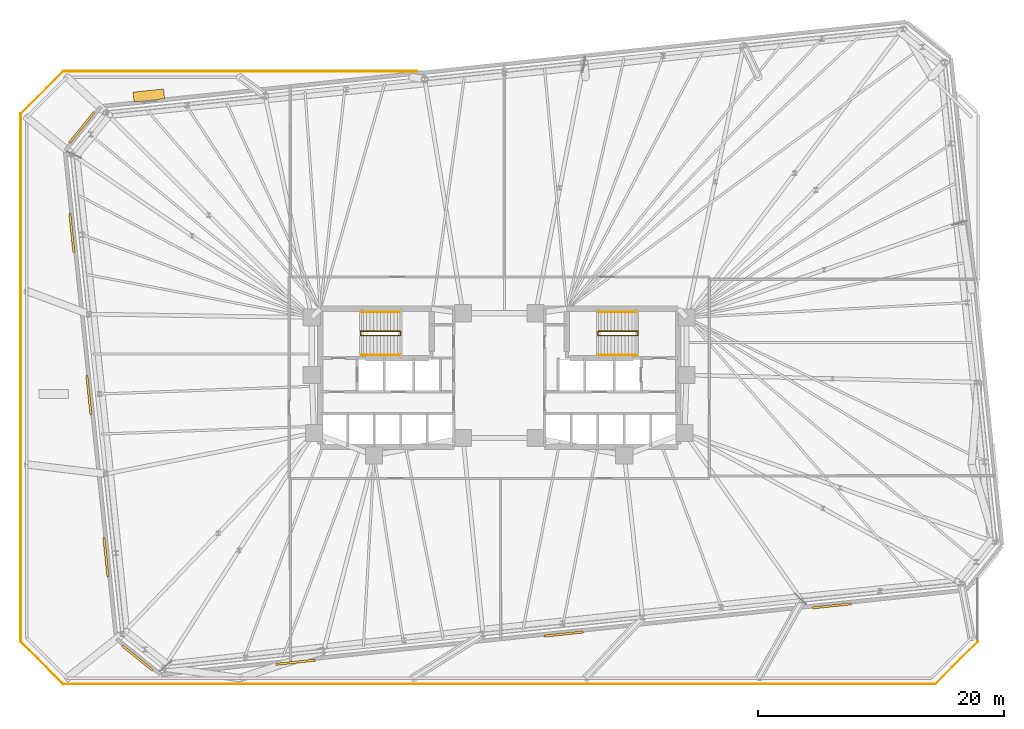
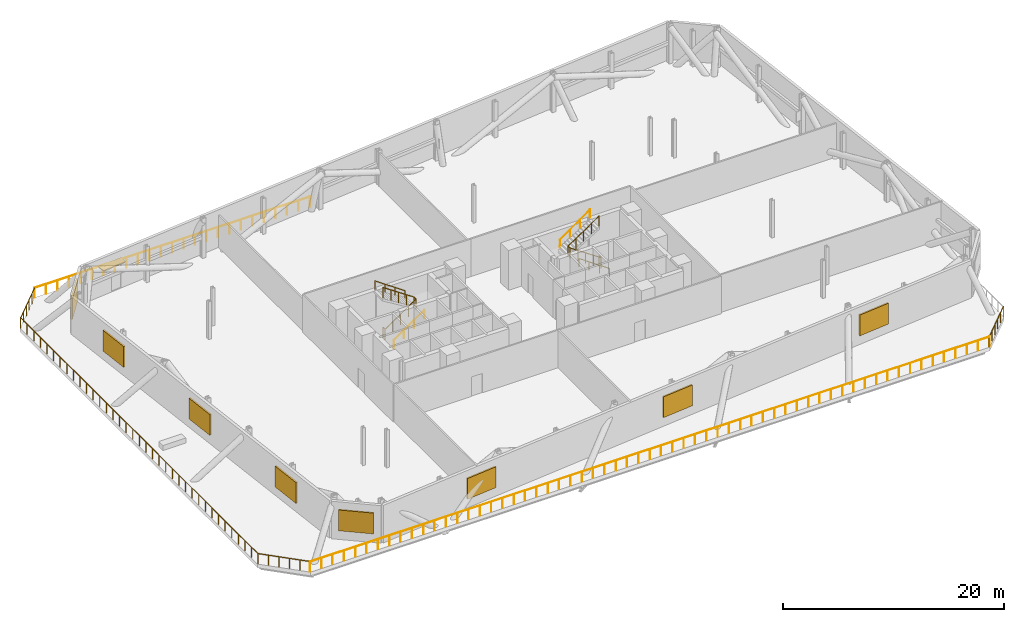
# One storey, part 16 of 17: 12 railings, 9 shading devices.
"""IFC4 building model written with IfcOpenShell, lengths in metres."""

from ifc_helpers import new_model, si_unit, direction, frame, origin, origin_2d, place, context, subcontext, project, spatial, rectangle, circle, extrude, material, layer, layer_set, type_object, element, save


model = new_model("IFC4")

# Units and contexts
model_context = context("Model", 3, precision=1e-05, world=origin(), true_north=direction((0.0, 1.0)))
body_context = subcontext(model_context, "Body", "Model", "MODEL_VIEW")
ifc_project = project(units=[si_unit("LENGTHUNIT", "METRE"), si_unit("AREAUNIT", "SQUARE_METRE"), si_unit("VOLUMEUNIT", "CUBIC_METRE"), si_unit("PLANEANGLEUNIT", "RADIAN"), si_unit("MASSUNIT", "GRAM", prefix="KILO")], contexts=[model_context])

# Site, building, storey
site_placement = place(None, origin())
site = spatial("IfcSite", under=ifc_project, at=site_placement, CompositionType="ELEMENT")
building_placement = place(site_placement, origin())
building = spatial("IfcBuilding", under=site, at=building_placement, Name="Menara Jurai Vektor", CompositionType="ELEMENT")
storey_placement = place(building_placement, frame((0.0, 0.0, 78.800048828125)))
storey = spatial("IfcBuildingStorey", under=building, at=storey_placement, Name="L19", CompositionType="ELEMENT", Elevation=78.800048828125)

# Railings
ifc_material_1 = material(Name="Anodised Pale Aluminium & Laminated Glass Guardrail", Category="aluminium")
ifc_layer = layer(ifc_material_1, 0.070068359375)
ifc_layer_set = layer_set([ifc_layer], Name="Anodised Pale Aluminium & Laminated Glass Guardrail")
railing_type_1 = type_object("IfcRailingType", Name="ENV-RAIL-TER115", PredefinedType="GUARDRAIL", material=ifc_layer_set)
railing_1_placement = place(storey_placement, frame((-6.70751953125, 24.93994140625, 0.0)))
element("IfcRailing", 1, at=railing_1_placement, inside=storey, type_object=railing_type_1, Name="Spiral Terrace Guardrail L19-STEP-01", PredefinedType="GUARDRAIL", context=body_context, shape_type="SweptSolid", body=[
    extrude(circle(Radius=0.02392578125, at=origin_2d()), frame((0.0, 0.0, 1.1259765625), z_axis=(-1.0, 0.0, 0.0), x_axis=(0.0, -1.0, 0.0)), (0.0, 0.0, 1.0), 28.79248046875),
    extrude(circle(Radius=0.02099609375, at=origin_2d()), origin(), (0.0, 0.0, 1.0), 1.101806640625),
    extrude(circle(Radius=0.02099609375, at=origin_2d()), frame((-1.19970703125, 0.0, 0.0)), (0.0, 0.0, 1.0), 1.101806640625),
    extrude(circle(Radius=0.02099609375, at=origin_2d()), frame((-2.3994140625, 0.0, 0.0)), (0.0, 0.0, 1.0), 1.101806640625),
    extrude(circle(Radius=0.02099609375, at=origin_2d()), frame((-3.59912109375, 0.0, 0.0)), (0.0, 0.0, 1.0), 1.101806640625),
    extrude(circle(Radius=0.02099609375, at=origin_2d()), frame((-4.798828125, 0.0, 0.0)), (0.0, 0.0, 1.0), 1.101806640625),
    extrude(circle(Radius=0.02099609375, at=origin_2d()), frame((-5.99853515625, 0.0, 0.0)), (0.0, 0.0, 1.0), 1.101806640625),
    extrude(circle(Radius=0.02099609375, at=origin_2d()), frame((-7.1982421875, 0.0, 0.0)), (0.0, 0.0, 1.0), 1.101806640625),
    extrude(circle(Radius=0.02099609375, at=origin_2d()), frame((-8.397705078125, 0.0, 0.0)), (0.0, 0.0, 1.0), 1.101806640625),
    extrude(circle(Radius=0.02099609375, at=origin_2d()), frame((-9.597412109375, 0.0, 0.0)), (0.0, 0.0, 1.0), 1.101806640625),
    extrude(circle(Radius=0.02099609375, at=origin_2d()), frame((-10.797119140625, 0.0, 0.0)), (0.0, 0.0, 1.0), 1.101806640625),
    extrude(circle(Radius=0.02099609375, at=origin_2d()), frame((-11.996826171875, 0.0, 0.0)), (0.0, 0.0, 1.0), 1.101806640625),
    extrude(circle(Radius=0.02099609375, at=origin_2d()), frame((-13.196533203125, 0.0, 0.0)), (0.0, 0.0, 1.0), 1.101806640625),
    extrude(circle(Radius=0.02099609375, at=origin_2d()), frame((-14.396240234375, 0.0, 0.0)), (0.0, 0.0, 1.0), 1.101806640625),
    extrude(circle(Radius=0.02099609375, at=origin_2d()), frame((-15.595947265625, 0.0, 0.0)), (0.0, 0.0, 1.0), 1.101806640625),
    extrude(circle(Radius=0.02099609375, at=origin_2d()), frame((-16.795654296875, 0.0, 0.0)), (0.0, 0.0, 1.0), 1.101806640625),
    extrude(circle(Radius=0.02099609375, at=origin_2d()), frame((-17.995361328125, 0.0, 0.0)), (0.0, 0.0, 1.0), 1.101806640625),
    extrude(circle(Radius=0.02099609375, at=origin_2d()), frame((-19.195068359375, 0.0, 0.0)), (0.0, 0.0, 1.0), 1.101806640625),
    extrude(circle(Radius=0.02099609375, at=origin_2d()), frame((-20.394775390625, 0.0, 0.0)), (0.0, 0.0, 1.0), 1.101806640625),
    extrude(circle(Radius=0.02099609375, at=origin_2d()), frame((-21.59423828125, 0.0, 0.0)), (0.0, 0.0, 1.0), 1.101806640625),
    extrude(circle(Radius=0.02099609375, at=origin_2d()), frame((-22.7939453125, 0.0, 0.0)), (0.0, 0.0, 1.0), 1.101806640625),
    extrude(circle(Radius=0.02099609375, at=origin_2d()), frame((-23.99365234375, 0.0, 0.0)), (0.0, 0.0, 1.0), 1.101806640625),
    extrude(circle(Radius=0.02099609375, at=origin_2d()), frame((-25.193359375, 0.0, 0.0)), (0.0, 0.0, 1.0), 1.101806640625),
    extrude(circle(Radius=0.02099609375, at=origin_2d()), frame((-26.39306640625, 0.0, 0.0)), (0.0, 0.0, 1.0), 1.101806640625),
    extrude(circle(Radius=0.02099609375, at=origin_2d()), frame((-27.5927734375, 0.0, 0.0)), (0.0, 0.0, 1.0), 1.101806640625),
    extrude(circle(Radius=0.02099609375, at=origin_2d()), frame((-28.79248046875, 0.0, 0.0)), (0.0, 0.0, 1.0), 1.101806640625),
])
railing_2_placement = place(storey_placement, frame((-35.45751953125, 24.95751953125, 0.0)))
element("IfcRailing", 2, at=railing_2_placement, inside=storey, type_object=railing_type_1, Name="Spiral Terrace Guardrail L19-STEP-02", PredefinedType="GUARDRAIL", context=body_context, shape_type="SweptSolid", body=[
    extrude(circle(Radius=0.02392578125, at=origin_2d()), frame((0.0, 0.0, 1.1259765625), z_axis=(-0.707106781187, -0.707106781187, 0.0), x_axis=(0.707106781187, -0.707106781187, 0.0)), (0.0, 0.0, 1.0), 4.94970703125),
    extrude(circle(Radius=0.02099609375, at=origin_2d()), origin(), (0.0, 0.0, 1.0), 1.101806640625),
    extrude(circle(Radius=0.02099609375, at=origin_2d()), frame((-0.699951171875, -0.699951171875, 0.0)), (0.0, 0.0, 1.0), 1.101806640625),
    extrude(circle(Radius=0.02099609375, at=origin_2d()), frame((-1.39990234375, -1.39990234375, 0.0)), (0.0, 0.0, 1.0), 1.101806640625),
    extrude(circle(Radius=0.02099609375, at=origin_2d()), frame((-2.10009765625, -2.10009765625, 0.0)), (0.0, 0.0, 1.0), 1.101806640625),
    extrude(circle(Radius=0.02099609375, at=origin_2d()), frame((-2.800048828125, -2.800048828125, 0.0)), (0.0, 0.0, 1.0), 1.101806640625),
    extrude(circle(Radius=0.02099609375, at=origin_2d()), frame((-3.5, -3.5, 0.0)), (0.0, 0.0, 1.0), 1.101806640625),
])
railing_3_placement = place(storey_placement, frame((-38.93994140625, 21.5, 0.0)))
element("IfcRailing", 3, at=railing_3_placement, inside=storey, type_object=railing_type_1, Name="Spiral Terrace Guardrail L19-STEP-03", PredefinedType="GUARDRAIL", context=body_context, shape_type="SweptSolid", body=[
    extrude(circle(Radius=0.02392578125, at=origin_2d()), frame((0.0, 0.0, 1.1259765625), z_axis=(0.0, -1.0, 0.0), x_axis=(1.0, 0.0, 0.0)), (0.0, 0.0, 1.0), 43.0),
    extrude(circle(Radius=0.02099609375, at=origin_2d()), origin(), (0.0, 0.0, 1.0), 1.101806640625),
    extrude(circle(Radius=0.02099609375, at=origin_2d()), frame((0.0, -1.1943359375, 0.0)), (0.0, 0.0, 1.0), 1.101806640625),
    extrude(circle(Radius=0.02099609375, at=origin_2d()), frame((0.0, -2.388916015625, 0.0)), (0.0, 0.0, 1.0), 1.101806640625),
    extrude(circle(Radius=0.02099609375, at=origin_2d()), frame((0.0, -3.583251953125, 0.0)), (0.0, 0.0, 1.0), 1.101806640625),
    extrude(circle(Radius=0.02099609375, at=origin_2d()), frame((0.0, -4.77783203125, 0.0)), (0.0, 0.0, 1.0), 1.101806640625),
    extrude(circle(Radius=0.02099609375, at=origin_2d()), frame((0.0, -5.97216796875, 0.0)), (0.0, 0.0, 1.0), 1.101806640625),
    extrude(circle(Radius=0.02099609375, at=origin_2d()), frame((0.0, -7.166748046875, 0.0)), (0.0, 0.0, 1.0), 1.101806640625),
    extrude(circle(Radius=0.02099609375, at=origin_2d()), frame((0.0, -8.361083984375, 0.0)), (0.0, 0.0, 1.0), 1.101806640625),
    extrude(circle(Radius=0.02099609375, at=origin_2d()), frame((0.0, -9.5556640625, 0.0)), (0.0, 0.0, 1.0), 1.101806640625),
    extrude(circle(Radius=0.02099609375, at=origin_2d()), frame((0.0, -10.75, 0.0)), (0.0, 0.0, 1.0), 1.101806640625),
    extrude(circle(Radius=0.02099609375, at=origin_2d()), frame((0.0, -11.9443359375, 0.0)), (0.0, 0.0, 1.0), 1.101806640625),
    extrude(circle(Radius=0.02099609375, at=origin_2d()), frame((0.0, -13.138916015625, 0.0)), (0.0, 0.0, 1.0), 1.101806640625),
    extrude(circle(Radius=0.02099609375, at=origin_2d()), frame((0.0, -14.333251953125, 0.0)), (0.0, 0.0, 1.0), 1.101806640625),
    extrude(circle(Radius=0.02099609375, at=origin_2d()), frame((0.0, -15.52783203125, 0.0)), (0.0, 0.0, 1.0), 1.101806640625),
    extrude(circle(Radius=0.02099609375, at=origin_2d()), frame((0.0, -16.72216796875, 0.0)), (0.0, 0.0, 1.0), 1.101806640625),
    extrude(circle(Radius=0.02099609375, at=origin_2d()), frame((0.0, -17.916748046875, 0.0)), (0.0, 0.0, 1.0), 1.101806640625),
    extrude(circle(Radius=0.02099609375, at=origin_2d()), frame((0.0, -19.111083984375, 0.0)), (0.0, 0.0, 1.0), 1.101806640625),
    extrude(circle(Radius=0.02099609375, at=origin_2d()), frame((0.0, -20.3056640625, 0.0)), (0.0, 0.0, 1.0), 1.101806640625),
    extrude(circle(Radius=0.02099609375, at=origin_2d()), frame((0.0, -21.5, 0.0)), (0.0, 0.0, 1.0), 1.101806640625),
    extrude(circle(Radius=0.02099609375, at=origin_2d()), frame((0.0, -22.6943359375, 0.0)), (0.0, 0.0, 1.0), 1.101806640625),
    extrude(circle(Radius=0.02099609375, at=origin_2d()), frame((0.0, -23.888916015625, 0.0)), (0.0, 0.0, 1.0), 1.101806640625),
    extrude(circle(Radius=0.02099609375, at=origin_2d()), frame((0.0, -25.083251953125, 0.0)), (0.0, 0.0, 1.0), 1.101806640625),
    extrude(circle(Radius=0.02099609375, at=origin_2d()), frame((0.0, -26.27783203125, 0.0)), (0.0, 0.0, 1.0), 1.101806640625),
    extrude(circle(Radius=0.02099609375, at=origin_2d()), frame((0.0, -27.47216796875, 0.0)), (0.0, 0.0, 1.0), 1.101806640625),
    extrude(circle(Radius=0.02099609375, at=origin_2d()), frame((0.0, -28.666748046875, 0.0)), (0.0, 0.0, 1.0), 1.101806640625),
    extrude(circle(Radius=0.02099609375, at=origin_2d()), frame((0.0, -29.861083984375, 0.0)), (0.0, 0.0, 1.0), 1.101806640625),
    extrude(circle(Radius=0.02099609375, at=origin_2d()), frame((0.0, -31.0556640625, 0.0)), (0.0, 0.0, 1.0), 1.101806640625),
    extrude(circle(Radius=0.02099609375, at=origin_2d()), frame((0.0, -32.25, 0.0)), (0.0, 0.0, 1.0), 1.101806640625),
    extrude(circle(Radius=0.02099609375, at=origin_2d()), frame((0.0, -33.4443359375, 0.0)), (0.0, 0.0, 1.0), 1.101806640625),
    extrude(circle(Radius=0.02099609375, at=origin_2d()), frame((0.0, -34.638916015625, 0.0)), (0.0, 0.0, 1.0), 1.101806640625),
    extrude(circle(Radius=0.02099609375, at=origin_2d()), frame((0.0, -35.833251953125, 0.0)), (0.0, 0.0, 1.0), 1.101806640625),
    extrude(circle(Radius=0.02099609375, at=origin_2d()), frame((0.0, -37.02783203125, 0.0)), (0.0, 0.0, 1.0), 1.101806640625),
    extrude(circle(Radius=0.02099609375, at=origin_2d()), frame((0.0, -38.22216796875, 0.0)), (0.0, 0.0, 1.0), 1.101806640625),
    extrude(circle(Radius=0.02099609375, at=origin_2d()), frame((0.0, -39.416748046875, 0.0)), (0.0, 0.0, 1.0), 1.101806640625),
    extrude(circle(Radius=0.02099609375, at=origin_2d()), frame((0.0, -40.611083984375, 0.0)), (0.0, 0.0, 1.0), 1.101806640625),
    extrude(circle(Radius=0.02099609375, at=origin_2d()), frame((0.0, -41.8056640625, 0.0)), (0.0, 0.0, 1.0), 1.101806640625),
    extrude(circle(Radius=0.02099609375, at=origin_2d()), frame((0.0, -43.0, 0.0)), (0.0, 0.0, 1.0), 1.101806640625),
])
railing_4_placement = place(storey_placement, frame((-38.95751953125, -21.45751953125, 0.0)))
element("IfcRailing", 4, at=railing_4_placement, inside=storey, type_object=railing_type_1, Name="Spiral Terrace Guardrail L19-STEP-04", PredefinedType="GUARDRAIL", context=body_context, shape_type="SweptSolid", body=[
    extrude(circle(Radius=0.02392578125, at=origin_2d()), frame((0.0, 0.0, 1.1259765625), z_axis=(0.707106781187, -0.707106781187, 0.0), x_axis=(0.707106781187, 0.707106781187, 0.0)), (0.0, 0.0, 1.0), 4.94970703125),
    extrude(circle(Radius=0.02099609375, at=origin_2d()), origin(), (0.0, 0.0, 1.0), 1.101806640625),
    extrude(circle(Radius=0.02099609375, at=origin_2d()), frame((0.699951171875, -0.699951171875, 0.0)), (0.0, 0.0, 1.0), 1.101806640625),
    extrude(circle(Radius=0.02099609375, at=origin_2d()), frame((1.39990234375, -1.39990234375, 0.0)), (0.0, 0.0, 1.0), 1.101806640625),
    extrude(circle(Radius=0.02099609375, at=origin_2d()), frame((2.10009765625, -2.10009765625, 0.0)), (0.0, 0.0, 1.0), 1.101806640625),
    extrude(circle(Radius=0.02099609375, at=origin_2d()), frame((2.800048828125, -2.800048828125, 0.0)), (0.0, 0.0, 1.0), 1.101806640625),
    extrude(circle(Radius=0.02099609375, at=origin_2d()), frame((3.5, -3.5, 0.0)), (0.0, 0.0, 1.0), 1.101806640625),
])
railing_5_placement = place(storey_placement, frame((-35.5, -24.93994140625, 0.0)))
element("IfcRailing", 5, at=railing_5_placement, inside=storey, type_object=railing_type_1, Name="Spiral Terrace Guardrail L19-STEP-05", PredefinedType="GUARDRAIL", context=body_context, shape_type="SweptSolid", body=[
    extrude(circle(Radius=0.02392578125, at=origin_2d()), frame((0.0, 0.0, 1.1259765625), z_axis=(1.0, 0.0, 0.0), x_axis=(0.0, 1.0, 0.0)), (0.0, 0.0, 1.0), 71.0),
    extrude(circle(Radius=0.02099609375, at=origin_2d()), origin(), (0.0, 0.0, 1.0), 1.101806640625),
    extrude(circle(Radius=0.02099609375, at=origin_2d()), frame((1.183349609375, 0.0, 0.0)), (0.0, 0.0, 1.0), 1.101806640625),
    extrude(circle(Radius=0.02099609375, at=origin_2d()), frame((2.36669921875, 0.0, 0.0)), (0.0, 0.0, 1.0), 1.101806640625),
    extrude(circle(Radius=0.02099609375, at=origin_2d()), frame((3.550048828125, 0.0, 0.0)), (0.0, 0.0, 1.0), 1.101806640625),
    extrude(circle(Radius=0.02099609375, at=origin_2d()), frame((4.7333984375, 0.0, 0.0)), (0.0, 0.0, 1.0), 1.101806640625),
    extrude(circle(Radius=0.02099609375, at=origin_2d()), frame((5.916748046875, 0.0, 0.0)), (0.0, 0.0, 1.0), 1.101806640625),
    extrude(circle(Radius=0.02099609375, at=origin_2d()), frame((7.10009765625, 0.0, 0.0)), (0.0, 0.0, 1.0), 1.101806640625),
    extrude(circle(Radius=0.02099609375, at=origin_2d()), frame((8.283447265625, 0.0, 0.0)), (0.0, 0.0, 1.0), 1.101806640625),
    extrude(circle(Radius=0.02099609375, at=origin_2d()), frame((9.466552734375, 0.0, 0.0)), (0.0, 0.0, 1.0), 1.101806640625),
    extrude(circle(Radius=0.02099609375, at=origin_2d()), frame((10.64990234375, 0.0, 0.0)), (0.0, 0.0, 1.0), 1.101806640625),
    extrude(circle(Radius=0.02099609375, at=origin_2d()), frame((11.833251953125, 0.0, 0.0)), (0.0, 0.0, 1.0), 1.101806640625),
    extrude(circle(Radius=0.02099609375, at=origin_2d()), frame((13.0166015625, 0.0, 0.0)), (0.0, 0.0, 1.0), 1.101806640625),
    extrude(circle(Radius=0.02099609375, at=origin_2d()), frame((14.199951171875, 0.0, 0.0)), (0.0, 0.0, 1.0), 1.101806640625),
    extrude(circle(Radius=0.02099609375, at=origin_2d()), frame((15.38330078125, 0.0, 0.0)), (0.0, 0.0, 1.0), 1.101806640625),
    extrude(circle(Radius=0.02099609375, at=origin_2d()), frame((16.566650390625, 0.0, 0.0)), (0.0, 0.0, 1.0), 1.101806640625),
    extrude(circle(Radius=0.02099609375, at=origin_2d()), frame((17.75, 0.0, 0.0)), (0.0, 0.0, 1.0), 1.101806640625),
    extrude(circle(Radius=0.02099609375, at=origin_2d()), frame((18.933349609375, 0.0, 0.0)), (0.0, 0.0, 1.0), 1.101806640625),
    extrude(circle(Radius=0.02099609375, at=origin_2d()), frame((20.11669921875, 0.0, 0.0)), (0.0, 0.0, 1.0), 1.101806640625),
    extrude(circle(Radius=0.02099609375, at=origin_2d()), frame((21.300048828125, 0.0, 0.0)), (0.0, 0.0, 1.0), 1.101806640625),
    extrude(circle(Radius=0.02099609375, at=origin_2d()), frame((22.4833984375, 0.0, 0.0)), (0.0, 0.0, 1.0), 1.101806640625),
    extrude(circle(Radius=0.02099609375, at=origin_2d()), frame((23.666748046875, 0.0, 0.0)), (0.0, 0.0, 1.0), 1.101806640625),
    extrude(circle(Radius=0.02099609375, at=origin_2d()), frame((24.85009765625, 0.0, 0.0)), (0.0, 0.0, 1.0), 1.101806640625),
    extrude(circle(Radius=0.02099609375, at=origin_2d()), frame((26.033447265625, 0.0, 0.0)), (0.0, 0.0, 1.0), 1.101806640625),
    extrude(circle(Radius=0.02099609375, at=origin_2d()), frame((27.216552734375, 0.0, 0.0)), (0.0, 0.0, 1.0), 1.101806640625),
    extrude(circle(Radius=0.02099609375, at=origin_2d()), frame((28.39990234375, 0.0, 0.0)), (0.0, 0.0, 1.0), 1.101806640625),
    extrude(circle(Radius=0.02099609375, at=origin_2d()), frame((29.583251953125, 0.0, 0.0)), (0.0, 0.0, 1.0), 1.101806640625),
    extrude(circle(Radius=0.02099609375, at=origin_2d()), frame((30.7666015625, 0.0, 0.0)), (0.0, 0.0, 1.0), 1.101806640625),
    extrude(circle(Radius=0.02099609375, at=origin_2d()), frame((31.949951171875, 0.0, 0.0)), (0.0, 0.0, 1.0), 1.101806640625),
    extrude(circle(Radius=0.02099609375, at=origin_2d()), frame((33.13330078125, 0.0, 0.0)), (0.0, 0.0, 1.0), 1.101806640625),
    extrude(circle(Radius=0.02099609375, at=origin_2d()), frame((34.316650390625, 0.0, 0.0)), (0.0, 0.0, 1.0), 1.101806640625),
    extrude(circle(Radius=0.02099609375, at=origin_2d()), frame((35.5, 0.0, 0.0)), (0.0, 0.0, 1.0), 1.101806640625),
    extrude(circle(Radius=0.02099609375, at=origin_2d()), frame((36.683349609375, 0.0, 0.0)), (0.0, 0.0, 1.0), 1.101806640625),
    extrude(circle(Radius=0.02099609375, at=origin_2d()), frame((37.86669921875, 0.0, 0.0)), (0.0, 0.0, 1.0), 1.101806640625),
    extrude(circle(Radius=0.02099609375, at=origin_2d()), frame((39.050048828125, 0.0, 0.0)), (0.0, 0.0, 1.0), 1.101806640625),
    extrude(circle(Radius=0.02099609375, at=origin_2d()), frame((40.2333984375, 0.0, 0.0)), (0.0, 0.0, 1.0), 1.101806640625),
    extrude(circle(Radius=0.02099609375, at=origin_2d()), frame((41.416748046875, 0.0, 0.0)), (0.0, 0.0, 1.0), 1.101806640625),
    extrude(circle(Radius=0.02099609375, at=origin_2d()), frame((42.60009765625, 0.0, 0.0)), (0.0, 0.0, 1.0), 1.101806640625),
    extrude(circle(Radius=0.02099609375, at=origin_2d()), frame((43.783447265625, 0.0, 0.0)), (0.0, 0.0, 1.0), 1.101806640625),
    extrude(circle(Radius=0.02099609375, at=origin_2d()), frame((44.966552734375, 0.0, 0.0)), (0.0, 0.0, 1.0), 1.101806640625),
    extrude(circle(Radius=0.02099609375, at=origin_2d()), frame((46.14990234375, 0.0, 0.0)), (0.0, 0.0, 1.0), 1.101806640625),
    extrude(circle(Radius=0.02099609375, at=origin_2d()), frame((47.333251953125, 0.0, 0.0)), (0.0, 0.0, 1.0), 1.101806640625),
    extrude(circle(Radius=0.02099609375, at=origin_2d()), frame((48.5166015625, 0.0, 0.0)), (0.0, 0.0, 1.0), 1.101806640625),
    extrude(circle(Radius=0.02099609375, at=origin_2d()), frame((49.699951171875, 0.0, 0.0)), (0.0, 0.0, 1.0), 1.101806640625),
    extrude(circle(Radius=0.02099609375, at=origin_2d()), frame((50.88330078125, 0.0, 0.0)), (0.0, 0.0, 1.0), 1.101806640625),
    extrude(circle(Radius=0.02099609375, at=origin_2d()), frame((52.066650390625, 0.0, 0.0)), (0.0, 0.0, 1.0), 1.101806640625),
    extrude(circle(Radius=0.02099609375, at=origin_2d()), frame((53.25, 0.0, 0.0)), (0.0, 0.0, 1.0), 1.101806640625),
    extrude(circle(Radius=0.02099609375, at=origin_2d()), frame((54.433349609375, 0.0, 0.0)), (0.0, 0.0, 1.0), 1.101806640625),
    extrude(circle(Radius=0.02099609375, at=origin_2d()), frame((55.61669921875, 0.0, 0.0)), (0.0, 0.0, 1.0), 1.101806640625),
    extrude(circle(Radius=0.02099609375, at=origin_2d()), frame((56.800048828125, 0.0, 0.0)), (0.0, 0.0, 1.0), 1.101806640625),
    extrude(circle(Radius=0.02099609375, at=origin_2d()), frame((57.9833984375, 0.0, 0.0)), (0.0, 0.0, 1.0), 1.101806640625),
    extrude(circle(Radius=0.02099609375, at=origin_2d()), frame((59.166748046875, 0.0, 0.0)), (0.0, 0.0, 1.0), 1.101806640625),
    extrude(circle(Radius=0.02099609375, at=origin_2d()), frame((60.35009765625, 0.0, 0.0)), (0.0, 0.0, 1.0), 1.101806640625),
    extrude(circle(Radius=0.02099609375, at=origin_2d()), frame((61.533447265625, 0.0, 0.0)), (0.0, 0.0, 1.0), 1.101806640625),
    extrude(circle(Radius=0.02099609375, at=origin_2d()), frame((62.716552734375, 0.0, 0.0)), (0.0, 0.0, 1.0), 1.101806640625),
    extrude(circle(Radius=0.02099609375, at=origin_2d()), frame((63.89990234375, 0.0, 0.0)), (0.0, 0.0, 1.0), 1.101806640625),
    extrude(circle(Radius=0.02099609375, at=origin_2d()), frame((65.083251953125, 0.0, 0.0)), (0.0, 0.0, 1.0), 1.101806640625),
    extrude(circle(Radius=0.02099609375, at=origin_2d()), frame((66.2666015625, 0.0, 0.0)), (0.0, 0.0, 1.0), 1.101806640625),
    extrude(circle(Radius=0.02099609375, at=origin_2d()), frame((67.449951171875, 0.0, 0.0)), (0.0, 0.0, 1.0), 1.101806640625),
    extrude(circle(Radius=0.02099609375, at=origin_2d()), frame((68.63330078125, 0.0, 0.0)), (0.0, 0.0, 1.0), 1.101806640625),
    extrude(circle(Radius=0.02099609375, at=origin_2d()), frame((69.816650390625, 0.0, 0.0)), (0.0, 0.0, 1.0), 1.101806640625),
    extrude(circle(Radius=0.02099609375, at=origin_2d()), frame((71.0, 0.0, 0.0)), (0.0, 0.0, 1.0), 1.101806640625),
])
railing_6_placement = place(storey_placement, frame((35.45751953125, -24.95751953125, 0.0)))
element("IfcRailing", 6, at=railing_6_placement, inside=storey, type_object=railing_type_1, Name="Spiral Terrace Guardrail L19-STEP-06", PredefinedType="GUARDRAIL", context=body_context, shape_type="SweptSolid", body=[
    extrude(circle(Radius=0.02392578125, at=origin_2d()), frame((0.0, 0.0, 1.1259765625), z_axis=(0.707106781187, 0.707106781187, 0.0), x_axis=(-0.707106781187, 0.707106781187, 0.0)), (0.0, 0.0, 1.0), 4.94970703125),
    extrude(circle(Radius=0.02099609375, at=origin_2d()), origin(), (0.0, 0.0, 1.0), 1.101806640625),
    extrude(circle(Radius=0.02099609375, at=origin_2d()), frame((0.699951171875, 0.699951171875, 0.0)), (0.0, 0.0, 1.0), 1.101806640625),
    extrude(circle(Radius=0.02099609375, at=origin_2d()), frame((1.39990234375, 1.39990234375, 0.0)), (0.0, 0.0, 1.0), 1.101806640625),
    extrude(circle(Radius=0.02099609375, at=origin_2d()), frame((2.10009765625, 2.10009765625, 0.0)), (0.0, 0.0, 1.0), 1.101806640625),
    extrude(circle(Radius=0.02099609375, at=origin_2d()), frame((2.800048828125, 2.800048828125, 0.0)), (0.0, 0.0, 1.0), 1.101806640625),
    extrude(circle(Radius=0.02099609375, at=origin_2d()), frame((3.5, 3.5, 0.0)), (0.0, 0.0, 1.0), 1.101806640625),
])

# Shading devices
ifc_material_2 = material(Name="Anodised Pale Aluminium Acoustic Louvre", Category="aluminium")
shading_device_type_1 = type_object("IfcShadingDeviceType", Name="ENV-SHD-LOUVRE", PredefinedType="USERDEFINED", material=ifc_material_2)
for number, where, z_axis, x_axis, name in (
    (7, (-16.571533203125, -23.15478515625, 1.0078125), (0.0, 0.0, 1.0), (0.994521895368, 0.104528463268, 0.0), "Acoustic Plant Weather Louvre L19-E01-1"),
    (8, (5.244873046875, -20.86181640625, 1.0078125), (0.0, 0.0, 1.0), (0.994521895368, 0.104528463268, 0.0), "Acoustic Plant Weather Louvre L19-E01-2"),
    (9, (27.061279296875, -18.56884765625, 1.0078125), (0.0, 0.0, 1.0), (0.994521895368, 0.104528463268, 0.0), "Acoustic Plant Weather Louvre L19-E01-3"),
    (10, (-33.97705078125, 20.35302734375, 1.0078125), (0.0, 0.0, 1.0), (-0.62932039105, -0.777145961457, 0.0), "Acoustic Plant Weather Louvre L19-E06-1"),
    (11, (-34.77783203125, 11.79345703125, 1.0078125), (0.0, 0.0, 1.0), (0.104528463268, -0.994521895368, 0.0), "Acoustic Plant Weather Louvre L19-E07-1"),
    (12, (-33.390625, -1.40380859375, 1.0078125), (0.0, 0.0, 1.0), (0.104528463268, -0.994521895368, 0.0), "Acoustic Plant Weather Louvre L19-E07-2"),
    (13, (-32.003662109375, -14.60107421875, 1.0078125), (0.0, 0.0, 1.0), (0.104528463268, -0.994521895368, 0.0), "Acoustic Plant Weather Louvre L19-E07-3"),
    (14, (-29.44091796875, -22.80712890625, 1.0078125), (0.0, 0.0, 1.0), (0.777145961457, -0.62932039105, 0.0), "Acoustic Plant Weather Louvre L19-E08-1"),
):
    element("IfcShadingDevice", number, at=place(storey_placement, frame(where, z_axis=z_axis, x_axis=x_axis)), inside=storey, type_object=shading_device_type_1, Name=name, ObjectType="LOUVRE", PredefinedType="USERDEFINED", context=body_context, shape_type="SweptSolid", body=[
        extrude(rectangle(XDim=3.199951171875, YDim=0.179931640625, at=origin_2d()), origin(), (0.0, 0.0, 1.0), 2.300048828125),
    ])
ifc_material_3 = material(Name="Anodised Pale Aluminium Sunshade Blade", Category="aluminium")
shading_device_type_2 = type_object("IfcShadingDeviceType", Name="ENV-SHD-SUNSHADE", PredefinedType="USERDEFINED", material=ifc_material_3)
shading_device_placement = place(storey_placement, frame((-28.5166015625, 22.96923828125, 2.389892578125), z_axis=(0.0, 0.0, 1.0), x_axis=(-0.994521895368, -0.104528463268, 0.0)))
element("IfcShadingDevice", 15, at=shading_device_placement, inside=storey, type_object=shading_device_type_2, Name="Doorway Pale-Metal Sunshade L19-STEP", ObjectType="SUNSHADE", PredefinedType="USERDEFINED", context=body_context, shape_type="SweptSolid", body=[
    extrude(rectangle(XDim=2.5, YDim=0.800048828125, at=origin_2d()), origin(), (0.0, 0.0, 1.0), 0.1201171875),
])

# Railings
ifc_material_4 = material(Name="Painted Galvanised Steel Balustrade", Category="steel")
railing_type_2 = type_object("IfcRailingType", Name="RAIL-STAIR-GUARD", PredefinedType="GUARDRAIL", material=ifc_material_4)
railing_7_placement = place(storey_placement, frame((-11.2900390625, 3.780029296875, 0.0)))
element("IfcRailing", 16, at=railing_7_placement, inside=storey, type_object=railing_type_2, Name="ST1 Stair Guardrail 1 L19", PredefinedType="GUARDRAIL", context=body_context, shape_type="SweptSolid", body=[
    extrude(circle(Radius=0.02392578125, at=origin_2d()), frame((0.0, 0.0, 1.1259765625), z_axis=(0.0, -1.0, 0.0), x_axis=(1.0, 0.0, 0.0)), (0.0, 0.0, 1.0), 0.360107421875),
    extrude(circle(Radius=0.02392578125, at=origin_2d()), frame((0.0, -0.360107421875, 1.1259765625), z_axis=(0.827311259865, 0.0, 0.56174378439), x_axis=(0.0, 1.0, 0.0)), (0.0, 0.0, 1.0), 3.916259765625),
    extrude(circle(Radius=0.02392578125, at=origin_2d()), frame((3.239990234375, -0.360107421875, 3.32568359375), z_axis=(0.0, 1.0, 0.0), x_axis=(-1.0, 0.0, 0.0)), (0.0, 0.0, 1.0), 0.360107421875),
    extrude(circle(Radius=0.02392578125, at=origin_2d()), frame((3.239990234375, 0.0, 3.32568359375), z_axis=(-0.827311259865, 0.0, 0.56174378439), x_axis=(0.0, -1.0, 0.0)), (0.0, 0.0, 1.0), 3.916259765625),
    extrude(circle(Radius=0.02099609375, at=origin_2d()), origin(), (0.0, 0.0, 1.0), 1.101806640625),
    extrude(circle(Radius=0.02099609375, at=origin_2d()), frame((0.0, -0.360107421875, 0.0)), (0.0, 0.0, 1.0), 1.101806640625),
    extrude(circle(Radius=0.02099609375, at=origin_2d()), frame((0.81005859375, -0.360107421875, 0.550048828125)), (0.0, 0.0, 1.0), 1.101806640625),
    extrude(circle(Radius=0.02099609375, at=origin_2d()), frame((1.6201171875, -0.360107421875, 1.10009765625)), (0.0, 0.0, 1.0), 1.101806640625),
    extrude(circle(Radius=0.02099609375, at=origin_2d()), frame((2.429931640625, -0.360107421875, 1.64990234375)), (0.0, 0.0, 1.0), 1.101806640625),
    extrude(circle(Radius=0.02099609375, at=origin_2d()), frame((3.239990234375, -0.360107421875, 2.199951171875)), (0.0, 0.0, 1.0), 1.101806640625),
    extrude(circle(Radius=0.02099609375, at=origin_2d()), frame((3.239990234375, 0.0, 2.199951171875)), (0.0, 0.0, 1.0), 1.101806640625),
    extrude(circle(Radius=0.02099609375, at=origin_2d()), frame((2.429931640625, 0.0, 2.75)), (0.0, 0.0, 1.0), 1.101806640625),
    extrude(circle(Radius=0.02099609375, at=origin_2d()), frame((1.6201171875, 0.0, 3.2998046875)), (0.0, 0.0, 1.0), 1.101806640625),
    extrude(circle(Radius=0.02099609375, at=origin_2d()), frame((0.81005859375, 0.0, 3.849853515625)), (0.0, 0.0, 1.0), 1.101806640625),
    extrude(circle(Radius=0.02099609375, at=origin_2d()), frame((0.0, 0.0, 4.39990234375)), (0.0, 0.0, 1.0), 1.101806640625),
])
railing_8_placement = place(storey_placement, frame((11.2900390625, 3.780029296875, 0.0)))
element("IfcRailing", 17, at=railing_8_placement, inside=storey, type_object=railing_type_2, Name="ST2 Stair Guardrail 1 L19", PredefinedType="GUARDRAIL", context=body_context, shape_type="SweptSolid", body=[
    extrude(circle(Radius=0.02392578125, at=origin_2d()), frame((0.0, 0.0, 1.1259765625), z_axis=(0.0, -1.0, 0.0), x_axis=(1.0, 0.0, 0.0)), (0.0, 0.0, 1.0), 0.360107421875),
    extrude(circle(Radius=0.02392578125, at=origin_2d()), frame((0.0, -0.360107421875, 1.1259765625), z_axis=(-0.827311259865, 0.0, 0.56174378439), x_axis=(0.0, -1.0, 0.0)), (0.0, 0.0, 1.0), 3.916259765625),
    extrude(circle(Radius=0.02392578125, at=origin_2d()), frame((-3.239990234375, -0.360107421875, 3.32568359375), z_axis=(0.0, 1.0, 0.0), x_axis=(-1.0, 0.0, 0.0)), (0.0, 0.0, 1.0), 0.360107421875),
    extrude(circle(Radius=0.02392578125, at=origin_2d()), frame((-3.239990234375, 0.0, 3.32568359375), z_axis=(0.827311259865, 0.0, 0.56174378439), x_axis=(0.0, 1.0, 0.0)), (0.0, 0.0, 1.0), 3.916259765625),
    extrude(circle(Radius=0.02099609375, at=origin_2d()), origin(), (0.0, 0.0, 1.0), 1.101806640625),
    extrude(circle(Radius=0.02099609375, at=origin_2d()), frame((0.0, -0.360107421875, 0.0)), (0.0, 0.0, 1.0), 1.101806640625),
    extrude(circle(Radius=0.02099609375, at=origin_2d()), frame((-0.81005859375, -0.360107421875, 0.550048828125)), (0.0, 0.0, 1.0), 1.101806640625),
    extrude(circle(Radius=0.02099609375, at=origin_2d()), frame((-1.6201171875, -0.360107421875, 1.10009765625)), (0.0, 0.0, 1.0), 1.101806640625),
    extrude(circle(Radius=0.02099609375, at=origin_2d()), frame((-2.429931640625, -0.360107421875, 1.64990234375)), (0.0, 0.0, 1.0), 1.101806640625),
    extrude(circle(Radius=0.02099609375, at=origin_2d()), frame((-3.239990234375, -0.360107421875, 2.199951171875)), (0.0, 0.0, 1.0), 1.101806640625),
    extrude(circle(Radius=0.02099609375, at=origin_2d()), frame((-3.239990234375, 0.0, 2.199951171875)), (0.0, 0.0, 1.0), 1.101806640625),
    extrude(circle(Radius=0.02099609375, at=origin_2d()), frame((-2.429931640625, 0.0, 2.75)), (0.0, 0.0, 1.0), 1.101806640625),
    extrude(circle(Radius=0.02099609375, at=origin_2d()), frame((-1.6201171875, 0.0, 3.2998046875)), (0.0, 0.0, 1.0), 1.101806640625),
    extrude(circle(Radius=0.02099609375, at=origin_2d()), frame((-0.81005859375, 0.0, 3.849853515625)), (0.0, 0.0, 1.0), 1.101806640625),
    extrude(circle(Radius=0.02099609375, at=origin_2d()), frame((0.0, 0.0, 4.39990234375)), (0.0, 0.0, 1.0), 1.101806640625),
])
ifc_material_5 = material(Name="Brushed Stainless Steel Handrail", Category="steel")
railing_type_3 = type_object("IfcRailingType", Name="RAIL-STAIR-HAND", PredefinedType="HANDRAIL", material=ifc_material_5)
railing_9_placement = place(storey_placement, frame((-11.25, 1.860107421875, 0.0)))
element("IfcRailing", 18, at=railing_9_placement, inside=storey, type_object=railing_type_3, Name="ST1 Stair Handrail 1 L19", PredefinedType="HANDRAIL", context=body_context, shape_type="SweptSolid", body=[
    extrude(circle(Radius=0.02392578125, at=origin_2d()), frame((0.0, 0.0, 0.89599609375), z_axis=(0.820691899253, 0.0, 0.571370988501), x_axis=(0.0, 1.0, 0.0)), (0.0, 0.0, 1.0), 3.850341796875),
    extrude(circle(Radius=0.02099609375, at=origin_2d()), origin(), (0.0, 0.0, 1.0), 0.871826171875),
    extrude(circle(Radius=0.02099609375, at=origin_2d()), frame((1.05322265625, 0.0, 0.7333984375)), (0.0, 0.0, 1.0), 0.871826171875),
    extrude(circle(Radius=0.02099609375, at=origin_2d()), frame((2.106689453125, 0.0, 1.466552734375)), (0.0, 0.0, 1.0), 0.871826171875),
    extrude(circle(Radius=0.02099609375, at=origin_2d()), frame((3.159912109375, 0.0, 2.199951171875)), (0.0, 0.0, 1.0), 0.871826171875),
])
for number, where, name in (
    (19, (-8.090087890625, 5.340087890625, 2.199951171875), "ST1 Stair Handrail 2 L19"),
    (20, (11.25, 1.860107421875, 0.0), "ST2 Stair Handrail 1 L19"),
):
    element("IfcRailing", number, at=place(storey_placement, frame(where)), inside=storey, type_object=railing_type_3, Name=name, PredefinedType="HANDRAIL", context=body_context, shape_type="SweptSolid", body=[
        extrude(circle(Radius=0.02392578125, at=origin_2d()), frame((0.0, 0.0, 0.89599609375), z_axis=(-0.820691899253, 0.0, 0.571370988501), x_axis=(0.0, -1.0, 0.0)), (0.0, 0.0, 1.0), 3.850341796875),
        extrude(circle(Radius=0.02099609375, at=origin_2d()), origin(), (0.0, 0.0, 1.0), 0.871826171875),
        extrude(circle(Radius=0.02099609375, at=origin_2d()), frame((-1.05322265625, 0.0, 0.7333984375)), (0.0, 0.0, 1.0), 0.871826171875),
        extrude(circle(Radius=0.02099609375, at=origin_2d()), frame((-2.106689453125, 0.0, 1.466552734375)), (0.0, 0.0, 1.0), 0.871826171875),
        extrude(circle(Radius=0.02099609375, at=origin_2d()), frame((-3.159912109375, 0.0, 2.199951171875)), (0.0, 0.0, 1.0), 0.871826171875),
    ])
railing_10_placement = place(storey_placement, frame((8.090087890625, 5.340087890625, 2.199951171875)))
element("IfcRailing", 21, at=railing_10_placement, inside=storey, type_object=railing_type_3, Name="ST2 Stair Handrail 2 L19", PredefinedType="HANDRAIL", context=body_context, shape_type="SweptSolid", body=[
    extrude(circle(Radius=0.02392578125, at=origin_2d()), frame((0.0, 0.0, 0.89599609375), z_axis=(0.820691899253, 0.0, 0.571370988501), x_axis=(0.0, 1.0, 0.0)), (0.0, 0.0, 1.0), 3.850341796875),
    extrude(circle(Radius=0.02099609375, at=origin_2d()), origin(), (0.0, 0.0, 1.0), 0.871826171875),
    extrude(circle(Radius=0.02099609375, at=origin_2d()), frame((1.05322265625, 0.0, 0.7333984375)), (0.0, 0.0, 1.0), 0.871826171875),
    extrude(circle(Radius=0.02099609375, at=origin_2d()), frame((2.106689453125, 0.0, 1.466552734375)), (0.0, 0.0, 1.0), 0.871826171875),
    extrude(circle(Radius=0.02099609375, at=origin_2d()), frame((3.159912109375, 0.0, 2.199951171875)), (0.0, 0.0, 1.0), 0.871826171875),
])

save(model, "model.ifc")
